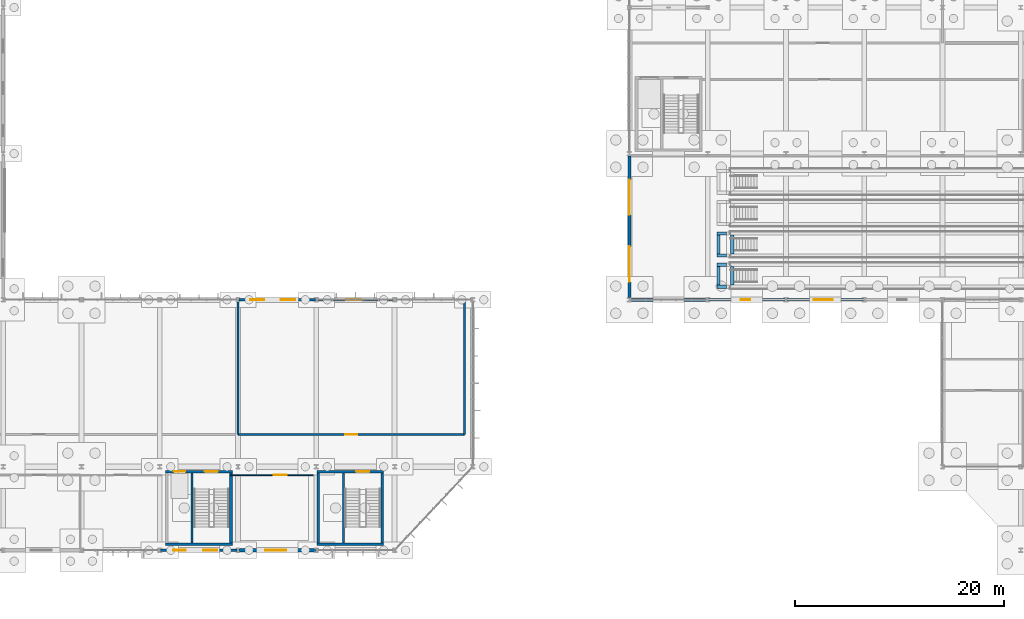
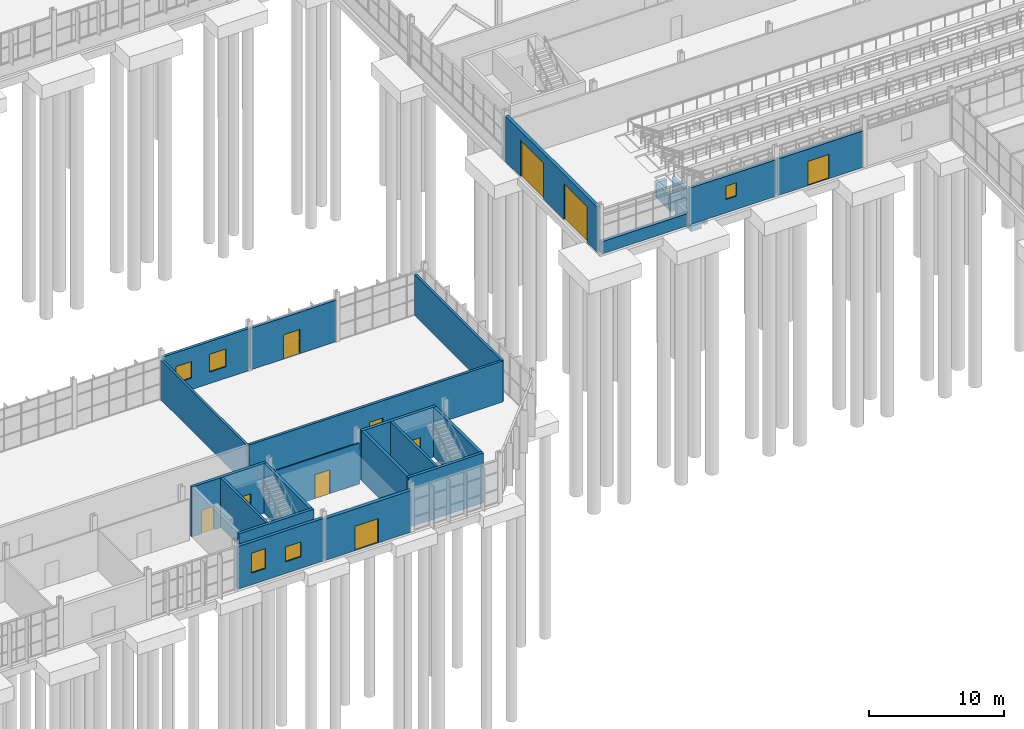
# One storey, part 108 of 136: 29 walls, 10 doors, 5 windows, 15 openings.
"""IFC4 building model written with IfcOpenShell, lengths in metres."""

from ifc_helpers import new_model, si_unit, direction, frame, frame_2d, origin, place, context, subcontext, project, spatial, rectangle, extrude, material, layer, layer_set, type_object, element, fill, save


model = new_model("IFC4")

# Units and contexts
model_context = context("Model", 3, precision=1e-05, world=origin(), true_north=direction((0.0, 1.0)))
body_context = subcontext(model_context, "Body", "Model", "MODEL_VIEW")
ifc_project = project(units=[si_unit("LENGTHUNIT", "METRE"), si_unit("AREAUNIT", "SQUARE_METRE"), si_unit("VOLUMEUNIT", "CUBIC_METRE"), si_unit("PLANEANGLEUNIT", "RADIAN"), si_unit("MASSUNIT", "GRAM", prefix="KILO")], contexts=[model_context])

# Site, building, storey
site_placement = place(None, origin())
site = spatial("IfcSite", under=ifc_project, at=site_placement, CompositionType="ELEMENT")
building_placement = place(site_placement, origin())
building = spatial("IfcBuilding", under=site, at=building_placement, Name="Solvenia Promenade Tram Depot", CompositionType="ELEMENT")
storey_placement = place(building_placement, origin())
storey = spatial("IfcBuildingStorey", under=building, at=storey_placement, Name="L00", CompositionType="ELEMENT", Elevation=0.0)

# Wall, opening, door
ifc_material_1 = material(Name="Concrete C35/45", Category="concrete")
ifc_layer_1 = layer(ifc_material_1, 0.219970703125, Name="Concrete C35/45", Category="concrete")
ifc_layer_set_1 = layer_set([ifc_layer_1], Name="Concrete C35/45")
wall_type_1 = type_object("IfcWallType", Name="Wall-Clad-220", PredefinedType="SOLIDWALL", material=ifc_layer_set_1)
wall_1_placement = place(storey_placement, frame((75.080078125, 24.0, 0.0), z_axis=(0.0, 0.0, 1.0), x_axis=(1.0, 0.0, 0.0)))
wall_1 = element("IfcWall", 1, at=wall_1_placement, inside=storey, type_object=wall_type_1, Name="Generator Courtyard Service Wall EW-L00-095", PredefinedType="SOLIDWALL", context=body_context, shape_type="SweptSolid", body=[
    extrude(rectangle(XDim=7.33984375, YDim=0.219970703125, at=frame_2d((3.669921875, 0.0))), origin(), (0.0, 0.0, 1.0), 3.75),
])
opening_1_placement = place(wall_1_placement, frame((2.800048828125, 0.0, 0.0)))
opening_1 = element("IfcOpeningElement", 2, at=opening_1_placement, cuts=wall_1, Name="Opening PD-A", PredefinedType="OPENING", context=body_context, shape_type="SweptSolid", body=[
    extrude(rectangle(XDim=1.39990234375, YDim=2.199951171875, at=frame_2d((0.699951171875, 1.10009765625))), frame((0.0, 0.119873046875, 0.0), z_axis=(0.0, -1.0, 0.0), x_axis=(1.0, 0.0, 0.0)), (0.0, 0.0, 1.0), 0.239990234375),
])
ifc_material_2 = material(Name="Galvanized painted sheet steel", Category="steel")
door_type_1 = type_object("IfcDoorType", Name="Door-Plant-1400x2200", OperationType="NOTDEFINED", PredefinedType="DOOR", material=ifc_material_2)
door_1_placement = place(opening_1_placement, origin())
door_1 = element("IfcDoor", 3, at=door_1_placement, inside=storey, type_object=door_type_1, Name="Generator Courtyard Service Door", OperationType="SINGLE_SWING_RIGHT", OverallHeight=2.199951171875, OverallWidth=1.39990234375, PredefinedType="DOOR", context=body_context, shape_type="SweptSolid", body=[
    extrude(rectangle(XDim=1.39990234375, YDim=2.199951171875, at=frame_2d((0.699951171875, 1.10009765625))), frame((0.0, 0.02490234375, 0.0), z_axis=(0.0, -1.0, 0.0), x_axis=(1.0, 0.0, 0.0)), (0.0, 0.0, 1.0), 0.050048828125),
])
fill(opening_1, door_1)

# Wall
ifc_material_3 = material(Name="Concrete C28/35", Category="concrete")
ifc_layer_2 = layer(ifc_material_3, 0.25, Name="Concrete C28/35", Category="concrete")
ifc_layer_set_2 = layer_set([ifc_layer_2], Name="Concrete C28/35")
wall_type_2 = type_object("IfcWallType", Name="Wall-Core-250", PredefinedType="SHEAR", material=ifc_layer_set_2)
wall_2_placement = place(storey_placement, frame((60.550048828125, 0.574951171875, 0.0), z_axis=(0.0, 0.0, 1.0), x_axis=(1.0, 0.0, 0.0)))
element("IfcWall", 4, at=wall_2_placement, inside=storey, type_object=wall_type_2, Name="Core C3 Shear Wall WC-C3-L00-S", PredefinedType="SHEAR", context=body_context, shape_type="SweptSolid", body=[
    extrude(rectangle(XDim=6.39990234375, YDim=0.25, at=frame_2d((3.199951171875, 0.0))), origin(), (0.0, 0.0, 1.0), 4.5),
])

# Wall, openings, doors
wall_3_placement = place(storey_placement, frame((60.550048828125, 7.52490234375, 0.0), z_axis=(0.0, 0.0, 1.0), x_axis=(1.0, 0.0, 0.0)))
wall_3 = element("IfcWall", 5, at=wall_3_placement, inside=storey, type_object=wall_type_2, Name="Core C3 Shear Wall WC-C3-L00-N", PredefinedType="SHEAR", context=body_context, shape_type="SweptSolid", body=[
    extrude(rectangle(XDim=6.39990234375, YDim=0.25, at=frame_2d((3.199951171875, 0.0))), origin(), (0.0, 0.0, 1.0), 4.5),
])
opening_2_placement = place(wall_3_placement, frame((0.800048828125, 0.0, 0.0)))
opening_2 = element("IfcOpeningElement", 6, at=opening_2_placement, cuts=wall_3, Name="Opening LD-03", PredefinedType="OPENING", context=body_context, shape_type="SweptSolid", body=[
    extrude(rectangle(XDim=1.10009765625, YDim=2.14990234375, at=frame_2d((0.550048828125, 1.074951171875))), frame((0.0, 0.135009765625, 0.0), z_axis=(0.0, -1.0, 0.0), x_axis=(1.0, 0.0, 0.0)), (0.0, 0.0, 1.0), 0.27001953125),
])
opening_3_placement = place(wall_3_placement, frame((3.77490234375, 0.0, 0.0)))
opening_3 = element("IfcOpeningElement", 7, at=opening_3_placement, cuts=wall_3, Name="Opening D-FD90", PredefinedType="OPENING", context=body_context, shape_type="SweptSolid", body=[
    extrude(rectangle(XDim=1.25, YDim=2.14990234375, at=frame_2d((0.625, 1.074951171875))), frame((0.0, 0.135009765625, 0.0), z_axis=(0.0, -1.0, 0.0), x_axis=(1.0, 0.0, 0.0)), (0.0, 0.0, 1.0), 0.27001953125),
])
door_type_2 = type_object("IfcDoorType", Name="Door-Lift-Pass-1100", OperationType="DOUBLE_DOOR_SLIDING", PredefinedType="DOOR", material=ifc_material_2)
door_2_placement = place(opening_2_placement, origin())
door_2 = element("IfcDoor", 8, at=door_2_placement, inside=storey, type_object=door_type_2, Name="Lift Landing Door LF-03 L00", OperationType="DOUBLE_DOOR_SLIDING", OverallHeight=2.14990234375, OverallWidth=1.10009765625, PredefinedType="DOOR", context=body_context, shape_type="SweptSolid", body=[
    extrude(rectangle(XDim=1.10009765625, YDim=2.14990234375, at=frame_2d((0.550048828125, 1.074951171875))), frame((0.0, 0.02490234375, 0.0), z_axis=(0.0, -1.0, 0.0), x_axis=(1.0, 0.0, 0.0)), (0.0, 0.0, 1.0), 0.050048828125),
])
fill(opening_2, door_2)
door_type_3 = type_object("IfcDoorType", Name="Door-Stair-FD90", OperationType="NOTDEFINED", PredefinedType="DOOR", material=ifc_material_2)
door_3_placement = place(opening_3_placement, origin())
door_3 = element("IfcDoor", 9, at=door_3_placement, inside=storey, type_object=door_type_3, Name="Exit Stair Door C3 L00", OperationType="SINGLE_SWING_LEFT", OverallHeight=2.14990234375, OverallWidth=1.25, PredefinedType="DOOR", context=body_context, shape_type="SweptSolid", body=[
    extrude(rectangle(XDim=1.25, YDim=2.14990234375, at=frame_2d((0.625, 1.074951171875))), frame((0.0, 0.02490234375, 0.0), z_axis=(0.0, -1.0, 0.0), x_axis=(1.0, 0.0, 0.0)), (0.0, 0.0, 1.0), 0.050048828125),
])
fill(opening_3, door_3)

# Walls
wall_4_placement = place(storey_placement, frame((66.824951171875, 0.699951171875, 0.0), z_axis=(0.0, 0.0, 1.0), x_axis=(0.0, 1.0, 0.0)))
element("IfcWall", 10, at=wall_4_placement, inside=storey, type_object=wall_type_2, Name="Core C3 Shear Wall WC-C3-L00-E", PredefinedType="SHEAR", context=body_context, shape_type="SweptSolid", body=[
    extrude(rectangle(XDim=6.699951171875, YDim=0.25, at=frame_2d((3.35009765625, 0.0))), origin(), (0.0, 0.0, 1.0), 4.5),
])
wall_5_placement = place(storey_placement, frame((75.050048828125, 0.574951171875, 0.0), z_axis=(0.0, 0.0, 1.0), x_axis=(1.0, 0.0, 0.0)))
element("IfcWall", 11, at=wall_5_placement, inside=storey, type_object=wall_type_2, Name="Core C4 Shear Wall WC-C4-L00-S", PredefinedType="SHEAR", context=body_context, shape_type="SweptSolid", body=[
    extrude(rectangle(XDim=6.39990234375, YDim=0.25, at=frame_2d((3.199951171875, 0.0))), origin(), (0.0, 0.0, 1.0), 4.5),
])

# Wall, opening, door
wall_6_placement = place(storey_placement, frame((75.050048828125, 7.52490234375, 0.0), z_axis=(0.0, 0.0, 1.0), x_axis=(1.0, 0.0, 0.0)))
wall_6 = element("IfcWall", 12, at=wall_6_placement, inside=storey, type_object=wall_type_2, Name="Core C4 Shear Wall WC-C4-L00-N", PredefinedType="SHEAR", context=body_context, shape_type="SweptSolid", body=[
    extrude(rectangle(XDim=6.39990234375, YDim=0.25, at=frame_2d((3.199951171875, 0.0))), origin(), (0.0, 0.0, 1.0), 4.5),
])
opening_4_placement = place(wall_6_placement, frame((3.77490234375, 0.0, 0.0)))
opening_4 = element("IfcOpeningElement", 13, at=opening_4_placement, cuts=wall_6, Name="Opening D-FD90", PredefinedType="OPENING", context=body_context, shape_type="SweptSolid", body=[
    extrude(rectangle(XDim=1.25, YDim=2.14990234375, at=frame_2d((0.625, 1.074951171875))), frame((0.0, 0.135009765625, 0.0), z_axis=(0.0, -1.0, 0.0), x_axis=(1.0, 0.0, 0.0)), (0.0, 0.0, 1.0), 0.27001953125),
])
door_4_placement = place(opening_4_placement, origin())
door_4 = element("IfcDoor", 14, at=door_4_placement, inside=storey, type_object=door_type_3, Name="Exit Stair Door C4 L00", OperationType="SINGLE_SWING_RIGHT", OverallHeight=2.14990234375, OverallWidth=1.25, PredefinedType="DOOR", context=body_context, shape_type="SweptSolid", body=[
    extrude(rectangle(XDim=1.25, YDim=2.14990234375, at=frame_2d((0.625, 1.074951171875))), frame((0.0, 0.02490234375, 0.0), z_axis=(0.0, -1.0, 0.0), x_axis=(1.0, 0.0, 0.0)), (0.0, 0.0, 1.0), 0.050048828125),
])
fill(opening_4, door_4)

# Walls
for number, where, z_axis, x_axis, name in (
    (15, (75.175048828125, 0.699951171875, 0.0), (0.0, 0.0, 1.0), (0.0, 1.0, 0.0), "Core C4 Shear Wall WC-C4-L00-W"),
    (16, (81.324951171875, 0.699951171875, 0.0), (0.0, 0.0, 1.0), (0.0, 1.0, 0.0), "Core C4 Shear Wall WC-C4-L00-E"),
):
    element("IfcWall", number, at=place(storey_placement, frame(where, z_axis=z_axis, x_axis=x_axis)), inside=storey, type_object=wall_type_2, Name=name, PredefinedType="SHEAR", context=body_context, shape_type="SweptSolid", body=[
        extrude(rectangle(XDim=6.699951171875, YDim=0.25, at=frame_2d((3.35009765625, 0.0))), origin(), (0.0, 0.0, 1.0), 4.5),
    ])
ifc_material_4 = material(Name="Concrete blockwork masonry", Category="masonry")
ifc_layer_3 = layer(ifc_material_4, 0.195068359375, Name="Concrete blockwork masonry", Category="masonry")
ifc_layer_set_3 = layer_set([ifc_layer_3], Name="Concrete blockwork masonry")
wall_type_3 = type_object("IfcWallType", Name="Wall-Fire-195", PredefinedType="PARTITIONING", material=ifc_layer_set_3)
wall_7_placement = place(storey_placement, frame((67.5, 11.10009765625, 0.0), z_axis=(0.0, 0.0, 1.0), x_axis=(0.0, 1.0, 0.0)))
element("IfcWall", 17, at=wall_7_placement, inside=storey, type_object=wall_type_3, Name="Traction Power Substation Dividing Wall WP-L00-040", PredefinedType="PARTITIONING", context=body_context, shape_type="SweptSolid", body=[
    extrude(rectangle(XDim=12.81982421875, YDim=0.195068359375, at=frame_2d((6.409912109375, 0.0))), origin(), (0.0, 0.0, 1.0), 3.5810546875),
])
wall_8_placement = place(storey_placement, frame((89.199951171875, 11.10009765625, 0.0), z_axis=(0.0, 0.0, 1.0), x_axis=(0.0, 1.0, 0.0)))
element("IfcWall", 18, at=wall_8_placement, inside=storey, type_object=wall_type_3, Name="Standby Generator Plant Dividing Wall WP-L00-042", PredefinedType="PARTITIONING", context=body_context, shape_type="SweptSolid", body=[
    extrude(rectangle(XDim=12.81982421875, YDim=0.195068359375, at=frame_2d((6.409912109375, 0.0))), origin(), (0.0, 0.0, 1.0), 3.699951171875),
])

# Wall, opening, door
ifc_layer_4 = layer(ifc_material_4, 0.215087890625, Name="Concrete blockwork masonry", Category="masonry")
ifc_layer_set_4 = layer_set([ifc_layer_4], Name="Concrete blockwork masonry")
wall_type_4 = type_object("IfcWallType", Name="Wall-Fire-215", PredefinedType="PARTITIONING", material=ifc_layer_set_4)
wall_9_placement = place(storey_placement, frame((67.5, 11.10009765625, 0.0), z_axis=(0.0, 0.0, 1.0), x_axis=(1.0, 0.0, 0.0)))
wall_9 = element("IfcWall", 19, at=wall_9_placement, inside=storey, type_object=wall_type_4, Name="Standby Generator Plant Partition WP-L00-041", PredefinedType="PARTITIONING", context=body_context, shape_type="SweptSolid", body=[
    extrude(rectangle(XDim=21.699951171875, YDim=0.215087890625, at=frame_2d((10.85009765625, 0.0))), origin(), (0.0, 0.0, 1.0), 3.699951171875),
])
opening_5_placement = place(wall_9_placement, frame((10.27490234375, 0.0, 0.0)))
opening_5 = element("IfcOpeningElement", 20, at=opening_5_placement, cuts=wall_9, Name="Opening D-FD60", PredefinedType="OPENING", context=body_context, shape_type="SweptSolid", body=[
    extrude(rectangle(XDim=1.14990234375, YDim=2.14990234375, at=frame_2d((0.574951171875, 1.074951171875))), frame((0.0, 0.117431640625, 0.0), z_axis=(0.0, -1.0, 0.0), x_axis=(1.0, 0.0, 0.0)), (0.0, 0.0, 1.0), 0.235107421875),
])
door_type_4 = type_object("IfcDoorType", Name="Door-Fire-FD60", OperationType="NOTDEFINED", PredefinedType="DOOR", material=ifc_material_2)
door_5_placement = place(opening_5_placement, origin())
door_5 = element("IfcDoor", 21, at=door_5_placement, inside=storey, type_object=door_type_4, Name="Door to Standby Generator Plant", OperationType="SINGLE_SWING_LEFT", OverallHeight=2.14990234375, OverallWidth=1.14990234375, PredefinedType="DOOR", context=body_context, shape_type="SweptSolid", body=[
    extrude(rectangle(XDim=1.14990234375, YDim=2.14990234375, at=frame_2d((0.574951171875, 1.074951171875))), frame((0.0, 0.02490234375, 0.0), z_axis=(0.0, -1.0, 0.0), x_axis=(1.0, 0.0, 0.0)), (0.0, 0.0, 1.0), 0.050048828125),
])
fill(opening_5, door_5)

ifc_material_5 = material(Name="Gypsum board acoustic partition", Category="other")
ifc_layer_5 = layer(ifc_material_5, 0.097900390625, Name="Gypsum board acoustic partition", Category="other")
ifc_layer_set_5 = layer_set([ifc_layer_5], Name="Gypsum board acoustic partition")
wall_type_5 = type_object("IfcWallType", Name="Wall-Part-98", PredefinedType="PARTITIONING", material=ifc_layer_set_5)
wall_10_placement = place(storey_placement, frame((66.824951171875, 7.199951171875, 0.0), z_axis=(0.0, 0.0, 1.0), x_axis=(1.0, 0.0, 0.0)))
wall_10 = element("IfcWall", 22, at=wall_10_placement, inside=storey, type_object=wall_type_5, Name="First Aid Triage Room Partition WP-L00-036", PredefinedType="PARTITIONING", context=body_context, shape_type="SweptSolid", body=[
    extrude(rectangle(XDim=7.875, YDim=0.097900390625, at=frame_2d((3.9375, 0.0))), origin(), (0.0, 0.0, 1.0), 3.699951171875),
])
opening_6_placement = place(wall_10_placement, frame((4.10107421875, 0.0, 0.0)))
opening_6 = element("IfcOpeningElement", 23, at=opening_6_placement, cuts=wall_10, Name="Opening DR-22", PredefinedType="OPENING", context=body_context, shape_type="SweptSolid", body=[
    extrude(rectangle(XDim=1.260009765625, YDim=2.159912109375, at=frame_2d((0.6298828125, 1.080078125))), frame((0.0, 0.058837890625, 0.0), z_axis=(0.0, -1.0, 0.0), x_axis=(1.0, 0.0, 0.0)), (0.0, 0.0, 1.0), 0.117919921875),
])
door_type_5 = type_object("IfcDoorType", Name="Door-Room-1260x2160", OperationType="NOTDEFINED", PredefinedType="DOOR", material=ifc_material_2)
door_6_placement = place(opening_6_placement, origin())
door_6 = element("IfcDoor", 24, at=door_6_placement, inside=storey, type_object=door_type_5, Name="Door to First Aid Triage Room", OperationType="SINGLE_SWING_RIGHT", OverallHeight=2.159912109375, OverallWidth=1.260009765625, PredefinedType="DOOR", context=body_context, shape_type="SweptSolid", body=[
    extrude(rectangle(XDim=1.260009765625, YDim=2.159912109375, at=frame_2d((0.6298828125, 1.080078125))), frame((0.0, 0.02490234375, 0.0), z_axis=(0.0, -1.0, 0.0), x_axis=(1.0, 0.0, 0.0)), (0.0, 0.0, 1.0), 0.050048828125),
])
fill(opening_6, door_6)

# Walls
ifc_layer_6 = layer(ifc_material_1, 0.300048828125, Name="Concrete C35/45", Category="concrete")
ifc_layer_set_6 = layer_set([ifc_layer_6], Name="Concrete C35/45")
wall_type_6 = type_object("IfcWallType", Name="Wall-Pit-300", PredefinedType="USERDEFINED", material=ifc_layer_set_6)
for number, where, z_axis, x_axis, name in (
    (25, (113.39990234375, 25.25, -1.675048828125), (0.0, 0.0, 1.0), (1.0, 0.0, 0.0), "Inspection Pit Bay 1 Drain Cheek Wall S"),
    (26, (113.39990234375, 27.35009765625, -1.675048828125), (0.0, 0.0, 1.0), (1.0, 0.0, 0.0), "Inspection Pit Bay 1 Drain Cheek Wall N"),
):
    element("IfcWall", number, at=place(storey_placement, frame(where, z_axis=z_axis, x_axis=x_axis)), inside=storey, type_object=wall_type_6, Name=name, ObjectType="RETAINING WALL", PredefinedType="USERDEFINED", context=body_context, shape_type="SweptSolid", body=[
        extrude(rectangle(XDim=0.900146484375, YDim=0.300048828125, at=frame_2d((0.4501953125, 0.0))), origin(), (0.0, 0.0, 1.0), 1.344970703125),
    ])
wall_11_placement = place(storey_placement, frame((113.550048828125, 25.39990234375, -1.675048828125), z_axis=(0.0, 0.0, 1.0), x_axis=(0.0, 1.0, 0.0)))
element("IfcWall", 27, at=wall_11_placement, inside=storey, type_object=wall_type_6, Name="Inspection Pit Bay 1 Apron End Wall", ObjectType="RETAINING WALL", PredefinedType="USERDEFINED", context=body_context, shape_type="SweptSolid", body=[
    extrude(rectangle(XDim=1.800048828125, YDim=0.300048828125, at=frame_2d((0.89990234375, 0.0))), origin(), (0.0, 0.0, 1.0), 1.344970703125),
])
wall_12_placement = place(storey_placement, frame((114.85009765625, 25.39990234375, -1.675048828125), z_axis=(0.0, 0.0, 1.0), x_axis=(0.0, 1.0, 0.0)))
element("IfcWall", 28, at=wall_12_placement, inside=storey, type_object=wall_type_6, Name="Inspection Pit Bay 1 Retaining Wall W", ObjectType="RETAINING WALL", PredefinedType="USERDEFINED", context=body_context, shape_type="SweptSolid", body=[
    extrude(rectangle(XDim=1.800048828125, YDim=0.300048828125, at=frame_2d((0.89990234375, 0.0))), origin(), (0.0, 0.0, 1.0), 1.455078125),
])
for number, where, z_axis, x_axis, name in (
    (29, (113.39990234375, 28.25, -1.675048828125), (0.0, 0.0, 1.0), (1.0, 0.0, 0.0), "Inspection Pit Bay 2 Drain Cheek Wall S"),
    (30, (113.39990234375, 30.35009765625, -1.675048828125), (0.0, 0.0, 1.0), (1.0, 0.0, 0.0), "Inspection Pit Bay 2 Drain Cheek Wall N"),
):
    element("IfcWall", number, at=place(storey_placement, frame(where, z_axis=z_axis, x_axis=x_axis)), inside=storey, type_object=wall_type_6, Name=name, ObjectType="RETAINING WALL", PredefinedType="USERDEFINED", context=body_context, shape_type="SweptSolid", body=[
        extrude(rectangle(XDim=0.900146484375, YDim=0.300048828125, at=frame_2d((0.4501953125, 0.0))), origin(), (0.0, 0.0, 1.0), 1.344970703125),
    ])
wall_13_placement = place(storey_placement, frame((113.550048828125, 28.39990234375, -1.675048828125), z_axis=(0.0, 0.0, 1.0), x_axis=(0.0, 1.0, 0.0)))
element("IfcWall", 31, at=wall_13_placement, inside=storey, type_object=wall_type_6, Name="Inspection Pit Bay 2 Apron End Wall", ObjectType="RETAINING WALL", PredefinedType="USERDEFINED", context=body_context, shape_type="SweptSolid", body=[
    extrude(rectangle(XDim=1.800048828125, YDim=0.300048828125, at=frame_2d((0.89990234375, 0.0))), origin(), (0.0, 0.0, 1.0), 1.344970703125),
])
wall_14_placement = place(storey_placement, frame((114.85009765625, 28.39990234375, -1.675048828125), z_axis=(0.0, 0.0, 1.0), x_axis=(0.0, 1.0, 0.0)))
element("IfcWall", 32, at=wall_14_placement, inside=storey, type_object=wall_type_6, Name="Inspection Pit Bay 2 Retaining Wall W", ObjectType="RETAINING WALL", PredefinedType="USERDEFINED", context=body_context, shape_type="SweptSolid", body=[
    extrude(rectangle(XDim=1.800048828125, YDim=0.300048828125, at=frame_2d((0.89990234375, 0.0))), origin(), (0.0, 0.0, 1.0), 1.455078125),
])
ifc_layer_7 = layer(ifc_material_1, 0.300048828125, Name="Concrete C35/45", Category="concrete")
ifc_layer_set_7 = layer_set([ifc_layer_7], Name="Concrete C35/45")
wall_type_7 = type_object("IfcWallType", Name="Wall-Plinth-300", PredefinedType="SOLIDWALL", material=ifc_layer_set_7)
wall_15_placement = place(storey_placement, frame((105.080078125, 24.0, 0.0), z_axis=(0.0, 0.0, 1.0), x_axis=(1.0, 0.0, 0.0)))
element("IfcWall", 33, at=wall_15_placement, inside=storey, type_object=wall_type_7, Name="Maintenance South Plinth EW-L00-049", PredefinedType="SOLIDWALL", context=body_context, shape_type="SweptSolid", body=[
    extrude(rectangle(XDim=7.33984375, YDim=0.300048828125, at=frame_2d((3.669921875, 0.0))), origin(), (0.0, 0.0, 1.0), 1.10009765625),
])

# Wall, opening, door
wall_16_placement = place(storey_placement, frame((67.580078125, 0.0, 0.0), z_axis=(0.0, 0.0, 1.0), x_axis=(1.0, 0.0, 0.0)))
wall_16 = element("IfcWall", 34, at=wall_16_placement, inside=storey, type_object=wall_type_7, Name="South Staff Wing Entrance Wall EW-L00-079", PredefinedType="SOLIDWALL", context=body_context, shape_type="SweptSolid", body=[
    extrude(rectangle(XDim=7.33984375, YDim=0.300048828125, at=frame_2d((3.669921875, 0.0))), origin(), (0.0, 0.0, 1.0), 3.75),
])
opening_7_placement = place(wall_16_placement, frame((2.550048828125, 0.0, 0.0)))
opening_7 = element("IfcOpeningElement", 35, at=opening_7_placement, cuts=wall_16, Name="Opening ED-09", PredefinedType="OPENING", context=body_context, shape_type="SweptSolid", body=[
    extrude(rectangle(XDim=2.0, YDim=2.199951171875, at=frame_2d((1.0, 1.10009765625))), frame((0.0, 0.159912109375, 0.0), z_axis=(0.0, -1.0, 0.0), x_axis=(1.0, 0.0, 0.0)), (0.0, 0.0, 1.0), 0.320068359375),
])
door_type_6 = type_object("IfcDoorType", Name="Door-Exit-2000x2200", OperationType="NOTDEFINED", PredefinedType="DOOR", material=ifc_material_2)
door_7_placement = place(opening_7_placement, frame((2.0, 0.0, 0.0), z_axis=(0.0, 0.0, 1.0), x_axis=(-1.0, 0.0, 0.0)))
door_7 = element("IfcDoor", 36, at=door_7_placement, inside=storey, type_object=door_type_6, Name="Pedestrian Exit Door ED-09", OperationType="SINGLE_SWING_LEFT", OverallHeight=2.199951171875, OverallWidth=2.0, PredefinedType="DOOR", context=body_context, shape_type="SweptSolid", body=[
    extrude(rectangle(XDim=2.0, YDim=2.199951171875, at=frame_2d((1.0, 1.10009765625))), frame((0.0, 0.02490234375, 0.0), z_axis=(0.0, -1.0, 0.0), x_axis=(1.0, 0.0, 0.0)), (0.0, 0.0, 1.0), 0.050048828125),
])
fill(opening_7, door_7)

# Wall, openings, doors
ifc_layer_8 = layer(ifc_material_1, 0.280029296875, Name="Concrete C35/45", Category="concrete")
ifc_layer_set_8 = layer_set([ifc_layer_8], Name="Concrete C35/45")
wall_type_8 = type_object("IfcWallType", Name="Wall-Portal-280", PredefinedType="SOLIDWALL", material=ifc_layer_set_8)
wall_17_placement = place(storey_placement, frame((105.0, 24.219970703125, 0.0), z_axis=(0.0, 0.0, 1.0), x_axis=(0.0, 1.0, 0.0)))
wall_17 = element("IfcWall", 37, at=wall_17_placement, inside=storey, type_object=wall_type_8, Name="Maintenance Throat Entry Wall EW-L00-064", PredefinedType="SOLIDWALL", context=body_context, shape_type="SweptSolid", body=[
    extrude(rectangle(XDim=13.56005859375, YDim=0.280029296875, at=frame_2d((6.780029296875, 0.0))), origin(), (0.0, 0.0, 1.0), 4.10009765625),
])
opening_8_placement = place(wall_17_placement, frame((1.5, 0.0, 0.0)))
opening_8 = element("IfcOpeningElement", 38, at=opening_8_placement, cuts=wall_17, Name="Opening GT-M1", PredefinedType="OPENING", context=body_context, shape_type="SweptSolid", body=[
    extrude(rectangle(XDim=3.39990234375, YDim=3.25, at=frame_2d((1.699951171875, 1.625))), frame((0.0, 0.14990234375, 0.0), z_axis=(0.0, -1.0, 0.0), x_axis=(1.0, 0.0, 0.0)), (0.0, 0.0, 1.0), 0.300048828125),
])
opening_9_placement = place(wall_17_placement, frame((7.89990234375, 0.0, 0.0)))
opening_9 = element("IfcOpeningElement", 39, at=opening_9_placement, cuts=wall_17, Name="Opening GT-M2", PredefinedType="OPENING", context=body_context, shape_type="SweptSolid", body=[
    extrude(rectangle(XDim=3.39990234375, YDim=3.25, at=frame_2d((1.699951171875, 1.625))), frame((0.0, 0.14990234375, 0.0), z_axis=(0.0, -1.0, 0.0), x_axis=(1.0, 0.0, 0.0)), (0.0, 0.0, 1.0), 0.300048828125),
])
door_type_7 = type_object("IfcDoorType", Name="Gate-Maint-3400x3600", OperationType="NOTDEFINED", PredefinedType="GATE", material=ifc_material_2)
door_8_placement = place(opening_8_placement, origin())
door_8 = element("IfcDoor", 40, at=door_8_placement, inside=storey, type_object=door_type_7, Name="Maintenance Track Entry Shutter 1", OperationType="ROLLINGUP", OverallHeight=3.25, OverallWidth=3.39990234375, PredefinedType="GATE", context=body_context, shape_type="SweptSolid", body=[
    extrude(rectangle(XDim=3.39990234375, YDim=3.25, at=frame_2d((1.699951171875, 1.625))), frame((0.0, 0.02490234375, 0.0), z_axis=(0.0, -1.0, 0.0), x_axis=(1.0, 0.0, 0.0)), (0.0, 0.0, 1.0), 0.050048828125),
])
fill(opening_8, door_8)
door_9_placement = place(opening_9_placement, origin())
door_9 = element("IfcDoor", 41, at=door_9_placement, inside=storey, type_object=door_type_7, Name="Maintenance Track Entry Shutter 2", OperationType="ROLLINGUP", OverallHeight=3.25, OverallWidth=3.39990234375, PredefinedType="GATE", context=body_context, shape_type="SweptSolid", body=[
    extrude(rectangle(XDim=3.39990234375, YDim=3.25, at=frame_2d((1.699951171875, 1.625))), frame((0.0, 0.02490234375, 0.0), z_axis=(0.0, -1.0, 0.0), x_axis=(1.0, 0.0, 0.0)), (0.0, 0.0, 1.0), 0.050048828125),
])
fill(opening_9, door_9)

# Walls
ifc_layer_9 = layer(ifc_material_3, 0.199951171875, Name="Concrete C28/35", Category="concrete")
ifc_layer_set_9 = layer_set([ifc_layer_9], Name="Concrete C28/35")
wall_type_9 = type_object("IfcWallType", Name="Wall-Shaft-200", PredefinedType="SHEAR", material=ifc_layer_set_9)
for number, where, z_axis, x_axis, name in (
    (42, (63.10009765625, 0.699951171875, 0.0), (0.0, 0.0, 1.0), (0.0, 1.0, 0.0), "Core C3 Shear Wall WC-C3-L00-DIV"),
    (43, (77.60009765625, 0.699951171875, 0.0), (0.0, 0.0, 1.0), (0.0, 1.0, 0.0), "Core C4 Shear Wall WC-C4-L00-DIV"),
):
    element("IfcWall", number, at=place(storey_placement, frame(where, z_axis=z_axis, x_axis=x_axis)), inside=storey, type_object=wall_type_9, Name=name, PredefinedType="SHEAR", context=body_context, shape_type="SweptSolid", body=[
        extrude(rectangle(XDim=6.699951171875, YDim=0.199951171875, at=frame_2d((3.35009765625, 0.0))), origin(), (0.0, 0.0, 1.0), 4.5),
    ])

# Wall, openings, windows
ifc_layer_10 = layer(ifc_material_1, 0.239990234375, Name="Concrete C35/45", Category="concrete")
ifc_layer_set_10 = layer_set([ifc_layer_10], Name="Concrete C35/45")
wall_type_10 = type_object("IfcWallType", Name="Wall-Spandrel-240", PredefinedType="SOLIDWALL", material=ifc_layer_set_10)
wall_18_placement = place(storey_placement, frame((67.580078125, 24.0, 0.0), z_axis=(0.0, 0.0, 1.0), x_axis=(1.0, 0.0, 0.0)))
wall_18 = element("IfcWall", 44, at=wall_18_placement, inside=storey, type_object=wall_type_10, Name="L00 Courtyard Pier Wall EW-L00-080", PredefinedType="SOLIDWALL", context=body_context, shape_type="SweptSolid", body=[
    extrude(rectangle(XDim=7.33984375, YDim=0.239990234375, at=frame_2d((3.669921875, 0.0))), origin(), (0.0, 0.0, 1.0), 3.800048828125),
])
opening_10_placement = place(wall_18_placement, frame((1.10009765625, 0.0, 1.050048828125)))
opening_10 = element("IfcOpeningElement", 45, at=opening_10_placement, cuts=wall_18, Name="Opening WN-12", PredefinedType="OPENING", context=body_context, shape_type="SweptSolid", body=[
    extrude(rectangle(XDim=1.35009765625, YDim=1.5, at=frame_2d((0.675048828125, 0.75))), frame((0.0, 0.1298828125, 0.0), z_axis=(0.0, -1.0, 0.0), x_axis=(1.0, 0.0, 0.0)), (0.0, 0.0, 1.0), 0.260009765625),
])
opening_11_placement = place(wall_18_placement, frame((4.0, 0.0, 1.050048828125)))
opening_11 = element("IfcOpeningElement", 46, at=opening_11_placement, cuts=wall_18, Name="Opening WN-13", PredefinedType="OPENING", context=body_context, shape_type="SweptSolid", body=[
    extrude(rectangle(XDim=1.39990234375, YDim=1.60009765625, at=frame_2d((0.699951171875, 0.800048828125))), frame((0.0, 0.1298828125, 0.0), z_axis=(0.0, -1.0, 0.0), x_axis=(1.0, 0.0, 0.0)), (0.0, 0.0, 1.0), 0.260009765625),
])
ifc_material_6 = material(Name="Double low-e argon insulated glass", Category="glass")
window_type_1 = type_object("IfcWindowType", Name="Win-1350x1500", PartitioningType="SINGLE_PANEL", PredefinedType="WINDOW", material=ifc_material_6)
window_1_placement = place(opening_10_placement, origin())
window_1 = element("IfcWindow", 47, at=window_1_placement, inside=storey, type_object=window_type_1, Name="L00 Courtyard Window 012", OverallHeight=1.5, OverallWidth=1.35009765625, PartitioningType="SINGLE_PANEL", PredefinedType="WINDOW", context=body_context, shape_type="SweptSolid", body=[
    extrude(rectangle(XDim=1.35009765625, YDim=1.5, at=frame_2d((0.675048828125, 0.75))), frame((0.0, 0.030029296875, 0.0), z_axis=(0.0, -1.0, 0.0), x_axis=(1.0, 0.0, 0.0)), (0.0, 0.0, 1.0), 0.06005859375),
])
fill(opening_10, window_1)
window_type_2 = type_object("IfcWindowType", Name="Win-1400x1600", PartitioningType="SINGLE_PANEL", PredefinedType="WINDOW", material=ifc_material_6)
window_2_placement = place(opening_11_placement, origin())
window_2 = element("IfcWindow", 48, at=window_2_placement, inside=storey, type_object=window_type_2, Name="L00 Courtyard Window 013", OverallHeight=1.60009765625, OverallWidth=1.39990234375, PartitioningType="SINGLE_PANEL", PredefinedType="WINDOW", context=body_context, shape_type="SweptSolid", body=[
    extrude(rectangle(XDim=1.39990234375, YDim=1.60009765625, at=frame_2d((0.699951171875, 0.800048828125))), frame((0.0, 0.030029296875, 0.0), z_axis=(0.0, -1.0, 0.0), x_axis=(1.0, 0.0, 0.0)), (0.0, 0.0, 1.0), 0.06005859375),
])
fill(opening_11, window_2)

# Wall, opening, window
ifc_layer_11 = layer(ifc_material_1, 0.264892578125, Name="Concrete C35/45", Category="concrete")
ifc_layer_set_11 = layer_set([ifc_layer_11], Name="Concrete C35/45")
wall_type_11 = type_object("IfcWallType", Name="Wall-Spandrel-265", PredefinedType="SOLIDWALL", material=ifc_layer_set_11)
wall_19_placement = place(storey_placement, frame((112.580078125, 24.0, 0.0), z_axis=(0.0, 0.0, 1.0), x_axis=(1.0, 0.0, 0.0)))
wall_19 = element("IfcWall", 49, at=wall_19_placement, inside=storey, type_object=wall_type_11, Name="Maintenance South Pier Wall EW-L00-050", PredefinedType="SOLIDWALL", context=body_context, shape_type="SweptSolid", body=[
    extrude(rectangle(XDim=7.33984375, YDim=0.264892578125, at=frame_2d((3.669921875, 0.0))), origin(), (0.0, 0.0, 1.0), 3.298095703125),
])
opening_12_placement = place(wall_19_placement, frame((3.10009765625, 0.0, 1.199951171875)))
opening_12 = element("IfcOpeningElement", 50, at=opening_12_placement, cuts=wall_19, Name="Opening WN-01", PredefinedType="OPENING", context=body_context, shape_type="SweptSolid", body=[
    extrude(rectangle(XDim=0.89990234375, YDim=1.199951171875, at=frame_2d((0.449951171875, 0.60009765625))), frame((0.0, 0.142333984375, 0.0), z_axis=(0.0, -1.0, 0.0), x_axis=(1.0, 0.0, 0.0)), (0.0, 0.0, 1.0), 0.284912109375),
])
window_type_3 = type_object("IfcWindowType", Name="Win-900x1200", PartitioningType="SINGLE_PANEL", PredefinedType="WINDOW", material=ifc_material_6)
window_3_placement = place(opening_12_placement, origin())
window_3 = element("IfcWindow", 51, at=window_3_placement, inside=storey, type_object=window_type_3, Name="Workshop Window 001", OverallHeight=1.199951171875, OverallWidth=0.89990234375, PartitioningType="SINGLE_PANEL", PredefinedType="WINDOW", context=body_context, shape_type="SweptSolid", body=[
    extrude(rectangle(XDim=0.89990234375, YDim=1.199951171875, at=frame_2d((0.449951171875, 0.60009765625))), frame((0.0, 0.030029296875, 0.0), z_axis=(0.0, -1.0, 0.0), x_axis=(1.0, 0.0, 0.0)), (0.0, 0.0, 1.0), 0.06005859375),
])
fill(opening_12, window_3)

# Wall, opening, door
wall_20_placement = place(storey_placement, frame((120.080078125, 24.0, 0.0), z_axis=(0.0, 0.0, 1.0), x_axis=(1.0, 0.0, 0.0)))
wall_20 = element("IfcWall", 52, at=wall_20_placement, inside=storey, type_object=wall_type_11, Name="Maintenance South Exit Wall EW-L00-051", PredefinedType="SOLIDWALL", context=body_context, shape_type="SweptSolid", body=[
    extrude(rectangle(XDim=7.33984375, YDim=0.264892578125, at=frame_2d((3.669921875, 0.0))), origin(), (0.0, 0.0, 1.0), 3.298095703125),
])
opening_13_placement = place(wall_20_placement, frame((2.60009765625, 0.0, 0.0)))
opening_13 = element("IfcOpeningElement", 53, at=opening_13_placement, cuts=wall_20, Name="Opening ED-03", PredefinedType="OPENING", context=body_context, shape_type="SweptSolid", body=[
    extrude(rectangle(XDim=1.800048828125, YDim=2.199951171875, at=frame_2d((0.89990234375, 1.10009765625))), frame((0.0, 0.142333984375, 0.0), z_axis=(0.0, -1.0, 0.0), x_axis=(1.0, 0.0, 0.0)), (0.0, 0.0, 1.0), 0.284912109375),
])
door_type_8 = type_object("IfcDoorType", Name="Door-Exit-1800x2200", OperationType="NOTDEFINED", PredefinedType="DOOR", material=ifc_material_2)
door_10_placement = place(opening_13_placement, frame((1.800048828125, 0.0, 0.0), z_axis=(0.0, 0.0, 1.0), x_axis=(-1.0, 0.0, 0.0)))
door_10 = element("IfcDoor", 54, at=door_10_placement, inside=storey, type_object=door_type_8, Name="Pedestrian Exit Door ED-03", OperationType="SINGLE_SWING_LEFT", OverallHeight=2.199951171875, OverallWidth=1.800048828125, PredefinedType="DOOR", context=body_context, shape_type="SweptSolid", body=[
    extrude(rectangle(XDim=1.800048828125, YDim=2.199951171875, at=frame_2d((0.89990234375, 1.10009765625))), frame((0.0, 0.02490234375, 0.0), z_axis=(0.0, -1.0, 0.0), x_axis=(1.0, 0.0, 0.0)), (0.0, 0.0, 1.0), 0.050048828125),
])
fill(opening_13, door_10)

# Wall, openings, windows
wall_21_placement = place(storey_placement, frame((60.080078125, 0.0, 0.0), z_axis=(0.0, 0.0, 1.0), x_axis=(1.0, 0.0, 0.0)))
wall_21 = element("IfcWall", 55, at=wall_21_placement, inside=storey, type_object=wall_type_11, Name="L00 South Feature Pier EW-L00-078", PredefinedType="SOLIDWALL", context=body_context, shape_type="SweptSolid", body=[
    extrude(rectangle(XDim=7.33984375, YDim=0.264892578125, at=frame_2d((3.669921875, 0.0))), origin(), (0.0, 0.0, 1.0), 3.85009765625),
])
opening_14_placement = place(wall_21_placement, frame((1.199951171875, 0.0, 1.050048828125)))
opening_14 = element("IfcOpeningElement", 56, at=opening_14_placement, cuts=wall_21, Name="Opening WN-10", PredefinedType="OPENING", context=body_context, shape_type="SweptSolid", body=[
    extrude(rectangle(XDim=1.199951171875, YDim=1.800048828125, at=frame_2d((0.60009765625, 0.89990234375))), frame((0.0, 0.142333984375, 0.0), z_axis=(0.0, -1.0, 0.0), x_axis=(1.0, 0.0, 0.0)), (0.0, 0.0, 1.0), 0.284912109375),
])
opening_15_placement = place(wall_21_placement, frame((4.10009765625, 0.0, 1.050048828125)))
opening_15 = element("IfcOpeningElement", 57, at=opening_15_placement, cuts=wall_21, Name="Opening WN-11", PredefinedType="OPENING", context=body_context, shape_type="SweptSolid", body=[
    extrude(rectangle(XDim=1.35009765625, YDim=1.35009765625, at=frame_2d((0.675048828125, 0.675048828125))), frame((0.0, 0.142333984375, 0.0), z_axis=(0.0, -1.0, 0.0), x_axis=(1.0, 0.0, 0.0)), (0.0, 0.0, 1.0), 0.284912109375),
])
window_type_4 = type_object("IfcWindowType", Name="Win-1200x1800", PartitioningType="SINGLE_PANEL", PredefinedType="WINDOW", material=ifc_material_6)
window_4_placement = place(opening_14_placement, origin())
window_4 = element("IfcWindow", 58, at=window_4_placement, inside=storey, type_object=window_type_4, Name="L00 South Facade Window 010", OverallHeight=1.800048828125, OverallWidth=1.199951171875, PartitioningType="SINGLE_PANEL", PredefinedType="WINDOW", context=body_context, shape_type="SweptSolid", body=[
    extrude(rectangle(XDim=1.199951171875, YDim=1.800048828125, at=frame_2d((0.60009765625, 0.89990234375))), frame((0.0, 0.030029296875, 0.0), z_axis=(0.0, -1.0, 0.0), x_axis=(1.0, 0.0, 0.0)), (0.0, 0.0, 1.0), 0.06005859375),
])
fill(opening_14, window_4)
window_type_5 = type_object("IfcWindowType", Name="Win-1350x1350", PartitioningType="SINGLE_PANEL", PredefinedType="WINDOW", material=ifc_material_6)
window_5_placement = place(opening_15_placement, origin())
window_5 = element("IfcWindow", 59, at=window_5_placement, inside=storey, type_object=window_type_5, Name="L00 South Facade Window 011", OverallHeight=1.35009765625, OverallWidth=1.35009765625, PartitioningType="SINGLE_PANEL", PredefinedType="WINDOW", context=body_context, shape_type="SweptSolid", body=[
    extrude(rectangle(XDim=1.35009765625, YDim=1.35009765625, at=frame_2d((0.675048828125, 0.675048828125))), frame((0.0, 0.030029296875, 0.0), z_axis=(0.0, -1.0, 0.0), x_axis=(1.0, 0.0, 0.0)), (0.0, 0.0, 1.0), 0.06005859375),
])
fill(opening_15, window_5)

save(model, "model.ifc")
